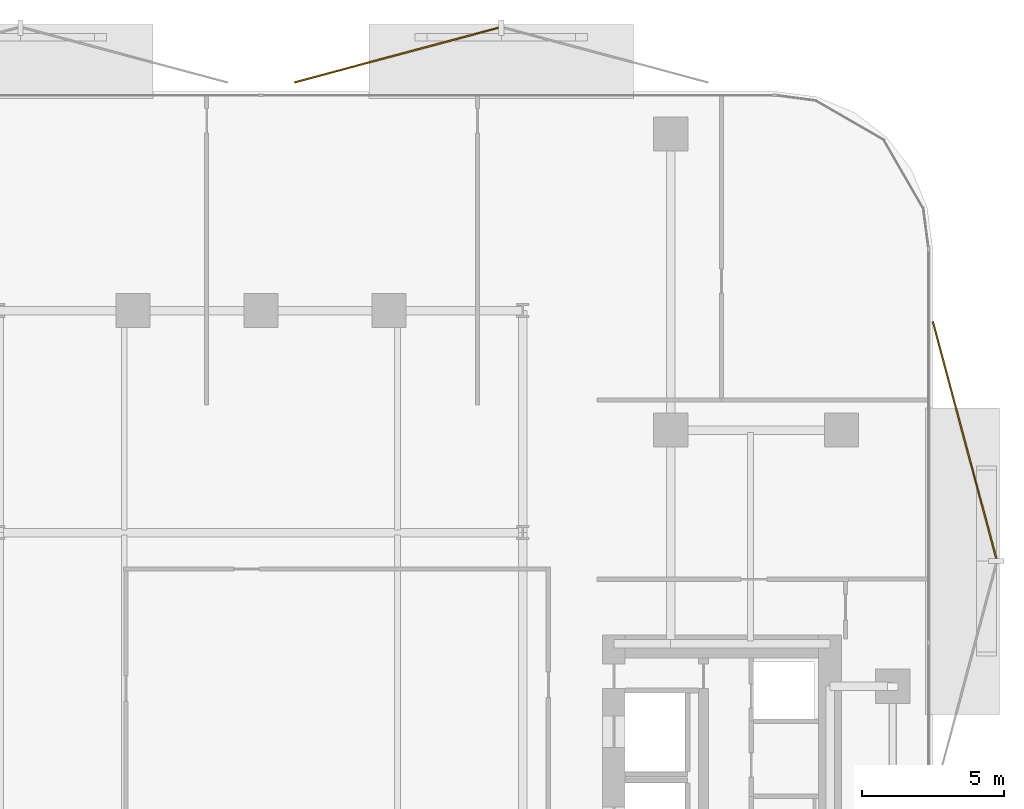
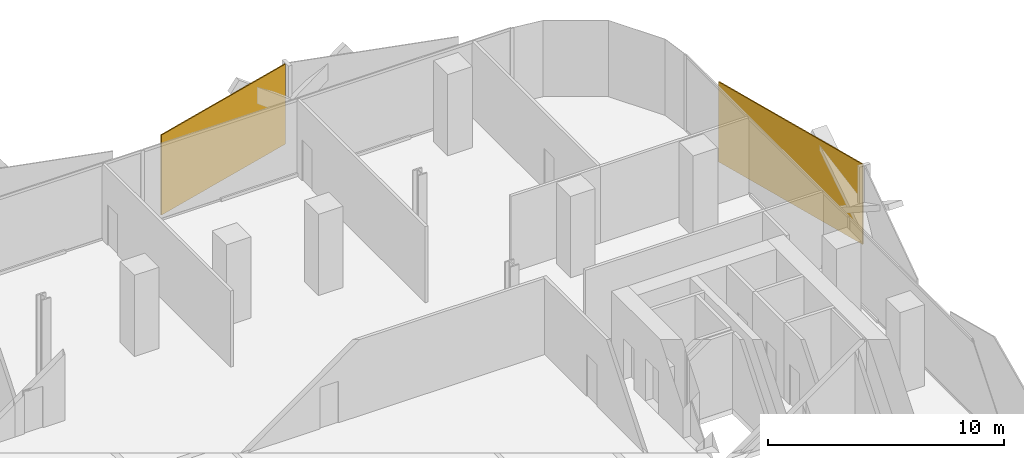
# One storey, part 15 of 15: 2 coverings.
"""IFC4 building model written with IfcOpenShell, lengths in metres."""

import ifcopenshell
import ifcopenshell.guid

model = None  # the IFC model being written
_history = None  # IfcOwnerHistory: only IFC2X3 demands one
_inside = {}  # id of a spatial element -> (the spatial element, [elements in it])
_under = {}  # id of a project, library or spatial element -> (it, [spatial elements below it])
_declared = {}  # id of a project -> (the project, [libraries it declares])
_typed = {}  # id of a type object -> (the type object, [elements of that type])
_made_of = {}  # id of a material, layer set ... -> (it, [elements and type objects made of it])


def new_model(schema):
    """Start an empty IFC model of exactly this schema.

    Asked for "IFC4X3", IfcOpenShell would pick the latest addendum, in which some entities
    have other attributes; the version numbers below select the first issue.
    IFC2X3 requires an IfcOwnerHistory on every rooted entity: one is made here for all.
    """
    global model, _history
    if schema == "IFC4X3":
        model = ifcopenshell.file(schema_version=(4, 3, 0, 0))
    else:
        model = ifcopenshell.file(schema=schema)
    _inside.clear()
    _under.clear()
    _declared.clear()
    _typed.clear()
    _made_of.clear()
    _history = None
    if model.schema == "IFC2X3":
        org = make("IfcOrganization", Name="unknown")
        user = make(
            "IfcPersonAndOrganization",
            ThePerson=make("IfcPerson", FamilyName="unknown"),
            TheOrganization=org,
        )
        app = make(
            "IfcApplication",
            ApplicationDeveloper=org,
            Version="unknown",
            ApplicationFullName="unknown",
            ApplicationIdentifier="unknown",
        )
        _history = make(
            "IfcOwnerHistory",
            OwningUser=user,
            OwningApplication=app,
            ChangeAction="ADDED",
            CreationDate=0,
        )
    return model


def make(cls, **values):
    """One entity of the class cls with the attributes given. An attribute that is None is left unset."""
    return model.create_entity(
        cls, **{name: value for name, value in values.items() if value is not None}
    )


def rooted(cls, **values):
    """An entity with a GlobalId (a new one), such as an element, a storey or a relation."""
    return make(cls, GlobalId=ifcopenshell.guid.new(), OwnerHistory=_history, **values)


def si_unit(unit_type, name, prefix=None):
    """IfcSIUnit, for example si_unit("LENGTHUNIT", "METRE", prefix="MILLI")."""
    return make("IfcSIUnit", UnitType=unit_type, Prefix=prefix, Name=name)


def assignment(units):
    """IfcUnitAssignment: the units of a project."""
    return None if units is None else make("IfcUnitAssignment", Units=units)


def point(xyz):
    """IfcCartesianPoint."""
    return None if xyz is None else make("IfcCartesianPoint", Coordinates=xyz)


def direction(xyz):
    """IfcDirection."""
    return None if xyz is None else make("IfcDirection", DirectionRatios=xyz)


def frame(location, z_axis=None, x_axis=None):
    """IfcAxis2Placement3D, a coordinate frame: its origin and axes. An axis left out is left unset."""
    return make(
        "IfcAxis2Placement3D",
        Location=point(location),
        Axis=direction(z_axis),
        RefDirection=direction(x_axis),
    )


def frame_2d(location, x_axis=None):
    """IfcAxis2Placement2D, a coordinate frame in the plane: its origin and x axis."""
    return make(
        "IfcAxis2Placement2D", Location=point(location), RefDirection=direction(x_axis)
    )


def origin():
    """The frame at (0, 0, 0) with its axes left unset."""
    return frame((0.0, 0.0, 0.0))


def origin_2d():
    """The frame at (0, 0) in the plane with its x axis left unset."""
    return frame_2d((0.0, 0.0))


def place(relative_to, where):
    """IfcLocalPlacement: puts the frame where relative to a parent placement (None: the world)."""
    return make(
        "IfcLocalPlacement", PlacementRelTo=relative_to, RelativePlacement=where
    )


def context(
    kind, dimensions, precision=None, world=None, true_north=None, identifier=None
):
    """IfcGeometricRepresentationContext, for example the 3D "Model" context."""
    return make(
        "IfcGeometricRepresentationContext",
        ContextIdentifier=identifier,
        ContextType=kind,
        CoordinateSpaceDimension=dimensions,
        Precision=precision,
        WorldCoordinateSystem=world,
        TrueNorth=true_north,
    )


def subcontext(parent, identifier, kind, view, scale=None):
    """IfcGeometricRepresentationSubContext, for example "Body" below "Model"."""
    return make(
        "IfcGeometricRepresentationSubContext",
        ContextIdentifier=identifier,
        ContextType=kind,
        ParentContext=parent,
        TargetScale=scale,
        TargetView=view,
    )


def project(units=None, contexts=None):
    """IfcProject with its units and contexts."""
    return rooted(
        "IfcProject",
        Name="project",
        RepresentationContexts=contexts,
        UnitsInContext=assignment(units),
    )


def spatial(cls, under=None, at=None, **own):
    """A site, building, storey or space (cls), placed at a placement, below another one or the project."""
    s = rooted(cls, ObjectPlacement=at, **own)
    if under is not None:
        _under.setdefault(under.id(), (under, []))[1].append(s)
    return s


def profile(cls, at=None, kind="AREA", **sizes):
    """A parametric profile (cls). Its sizes go by their IFC names, for example OverallWidth=200.0."""
    return make(cls, ProfileType=kind, Position=at, **sizes)


def rectangle(**sizes):
    """IfcRectangleProfileDef."""
    return profile("IfcRectangleProfileDef", **sizes)


def extrude(swept, where, along, depth):
    """IfcExtrudedAreaSolid: the profile swept, set in the frame where, extruded along a direction by depth."""
    return make(
        "IfcExtrudedAreaSolid",
        SweptArea=swept,
        Position=where,
        ExtrudedDirection=direction(along),
        Depth=depth,
    )


def shape(context_of_items, identifier, shape_type, items):
    """IfcShapeRepresentation: the items that make up one representation, for example the "Body"."""
    return make(
        "IfcShapeRepresentation",
        ContextOfItems=context_of_items,
        RepresentationIdentifier=identifier,
        RepresentationType=shape_type,
        Items=items,
    )


def material(Name=None, Category=None):
    """IfcMaterial."""
    return make("IfcMaterial", Name=Name, Category=Category)


def layer(
    of_material, thickness, ventilated=None, Name=None, Category=None, Priority=None
):
    """IfcMaterialLayer: one layer of a wall or slab, of a material (None: an air gap)."""
    return make(
        "IfcMaterialLayer",
        Material=of_material,
        LayerThickness=thickness,
        IsVentilated=ventilated,
        Name=Name,
        Category=Category,
        Priority=Priority,
    )


def layer_set(layers, Name=None):
    """IfcMaterialLayerSet."""
    return make("IfcMaterialLayerSet", MaterialLayers=layers, LayerSetName=Name)


def made_of(thing, what):
    """Note that an element or type object is made of a material, layer set ...; save() writes the relation."""
    if what is not None:
        _made_of.setdefault(what.id(), (what, []))[1].append(thing)
    return thing


def type_object(cls, material=None, **own):
    """A type object (cls), such as IfcWallType, which elements share."""
    return made_of(rooted(cls, **own), material)


def element(
    cls,
    number,
    at=None,
    inside=None,
    cuts=None,
    type_object=None,
    material=None,
    context=None,
    identifier="Body",
    shape_type=None,
    held_by="IfcProductDefinitionShape",
    body=None,
    shapes=None,
    **own,
):
    """One element of the class cls, such as IfcWall. Its Tag is "e" and its number.

    at: its placement. inside: the storey or other place that contains it. cuts: it is an
    opening in that element (IfcRelVoidsElement). A single representation is given by context,
    identifier, shape_type and body (its items); several are given by shapes. held_by: the class
    of the entity that holds the representations. save() writes the other relations.
    """
    e = rooted(cls, Tag="e%d" % number, ObjectPlacement=at, **own)
    if body is not None:
        shapes = [shape(context, identifier, shape_type, body)]
    if shapes is not None:
        e.Representation = make(held_by, Representations=shapes)
    if inside is not None:
        _inside.setdefault(inside.id(), (inside, []))[1].append(e)
    if cuts is not None:
        rooted(
            "IfcRelVoidsElement", RelatingBuildingElement=cuts, RelatedOpeningElement=e
        )
    if type_object is not None:
        _typed.setdefault(type_object.id(), (type_object, []))[1].append(e)
    return made_of(e, material)


def aggregate(whole, parts):
    """IfcRelAggregates: a whole, such as a stair, and the parts it consists of."""
    return rooted("IfcRelAggregates", RelatingObject=whole, RelatedObjects=parts)


def save(model, path):
    """Write the relations noted so far, then the file.

    IfcRelAggregates (storeys below a building ...), IfcRelContainedInSpatialStructure (elements
    in a storey), IfcRelDefinesByType, IfcRelAssociatesMaterial and IfcRelDeclares: one each for
    every whole, place, type object, material and project.
    """
    for whole, parts in _under.values():
        aggregate(whole, parts)
    for where, things in _inside.values():
        rooted(
            "IfcRelContainedInSpatialStructure",
            RelatedElements=things,
            RelatingStructure=where,
        )
    for kind, things in _typed.values():
        rooted("IfcRelDefinesByType", RelatedObjects=things, RelatingType=kind)
    for what, things in _made_of.values():
        rooted("IfcRelAssociatesMaterial", RelatedObjects=things, RelatingMaterial=what)
    for by, libraries in _declared.values():
        rooted("IfcRelDeclares", RelatingContext=by, RelatedDefinitions=libraries)
    model.write(path)


model = new_model("IFC4")

# Units and contexts
model_context = context("Model", 3, precision=1e-05, world=origin(), true_north=direction((0.0, 1.0)))
body_context = subcontext(model_context, "Body", "Model", "MODEL_VIEW")
ifc_project = project(units=[si_unit("LENGTHUNIT", "METRE"), si_unit("AREAUNIT", "SQUARE_METRE"), si_unit("VOLUMEUNIT", "CUBIC_METRE"), si_unit("PLANEANGLEUNIT", "RADIAN"), si_unit("MASSUNIT", "GRAM", prefix="KILO")], contexts=[model_context])

# Site, building, storey
site_placement = place(None, origin())
site = spatial("IfcSite", under=ifc_project, at=site_placement, CompositionType="ELEMENT")
building_placement = place(site_placement, origin())
building = spatial("IfcBuilding", under=site, at=building_placement, Name="Khairoan Windgate Tower", CompositionType="ELEMENT")
storey_placement = place(building_placement, frame((0.0, 0.0, 122.60009765625)))
storey = spatial("IfcBuildingStorey", under=building, at=storey_placement, Name="L28", CompositionType="ELEMENT", Elevation=122.60009765625)

# Coverings
ifc_material = material(Name="Anodised Bronze Aluminium 6063-T6", Category="aluminium")
ifc_layer = layer(ifc_material, 0.054931640625, Name="Anodised Bronze Aluminium 6063-T6")
ifc_layer_set = layer_set([ifc_layer], Name="Anodised Bronze Aluminium 6063-T6")
covering_type = type_object("IfcCoveringType", Name="Perforated Bronze-Ceramic Folded Solar Screen Cladding BSC-1", PredefinedType="CLADDING", material=ifc_layer_set)
covering_1_placement = place(storey_placement, frame((4.76611328125, 27.578125, -0.10009765625), z_axis=(0.0, 0.0, 1.0), x_axis=(0.965925826289, 0.258819045103, 0.0)))
element("IfcCovering", 1, at=covering_1_placement, inside=storey, type_object=covering_type, Name="L28 Folded Bronze Solar Screen Facet 174L", PredefinedType="CLADDING", context=body_context, shape_type="SweptSolid", body=[
    extrude(rectangle(XDim=7.431884765625, YDim=0.054931640625, at=origin_2d()), origin(), (0.0, 0.0, 1.0), 4.139892578125),
])
covering_2_placement = place(storey_placement, frame((24.724609375, 14.048583984375, -0.10009765625), z_axis=(0.0, 0.0, 1.0), x_axis=(0.258819045103, -0.965925826289, 0.0)))
element("IfcCovering", 2, at=covering_2_placement, inside=storey, type_object=covering_type, Name="L28 Folded Bronze Solar Screen Facet 175L", PredefinedType="CLADDING", context=body_context, shape_type="SweptSolid", body=[
    extrude(rectangle(XDim=8.6201171875, YDim=0.054931640625, at=origin_2d()), origin(), (0.0, 0.0, 1.0), 4.139892578125),
])

save(model, "model.ifc")
